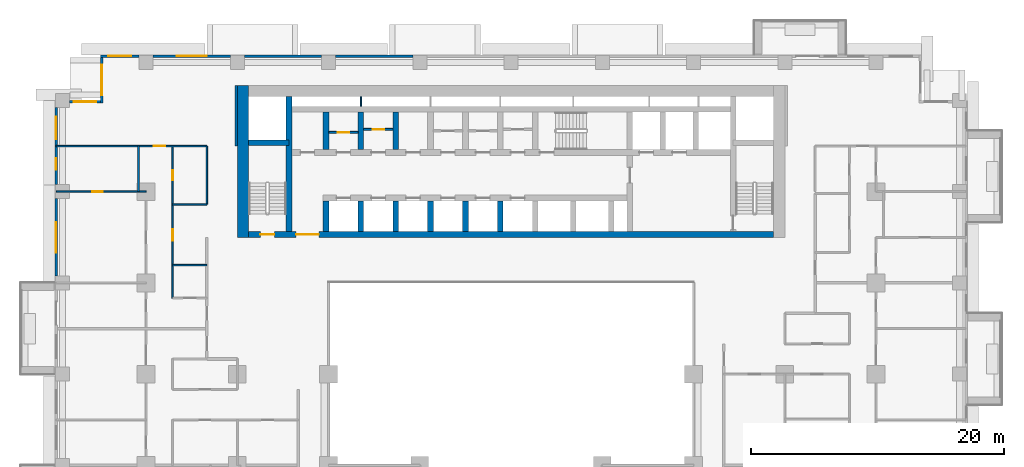
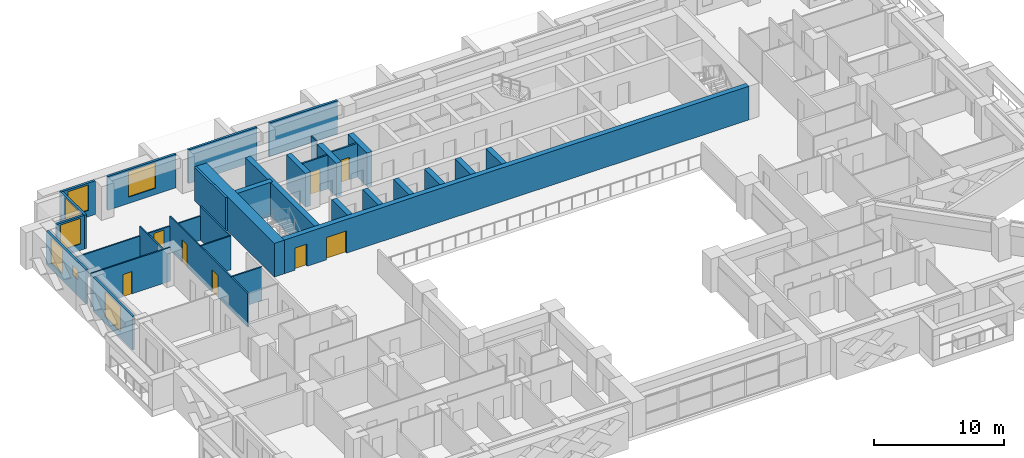
# One storey, part 9 of 16: 32 walls, 8 doors, 7 windows, 15 openings.
"""IFC4 building model written with IfcOpenShell, lengths in metres."""

from ifc_helpers import new_model, si_unit, direction, frame, frame_2d, origin, place, context, subcontext, project, spatial, rectangle, extrude, material, layer, layer_set, type_object, element, fill, save


model = new_model("IFC4")

# Units and contexts
model_context = context("Model", 3, precision=1e-05, world=origin(), true_north=direction((0.0, 1.0)))
body_context = subcontext(model_context, "Body", "Model", "MODEL_VIEW")
ifc_project = project(units=[si_unit("LENGTHUNIT", "METRE"), si_unit("AREAUNIT", "SQUARE_METRE"), si_unit("VOLUMEUNIT", "CUBIC_METRE"), si_unit("PLANEANGLEUNIT", "RADIAN"), si_unit("MASSUNIT", "GRAM", prefix="KILO")], contexts=[model_context])

# Site, building, storey
site_placement = place(None, origin())
site = spatial("IfcSite", under=ifc_project, at=site_placement, CompositionType="ELEMENT")
building_placement = place(site_placement, origin())
building = spatial("IfcBuilding", under=site, at=building_placement, Name="Saffron Iwan Residences", CompositionType="ELEMENT")
storey_placement = place(building_placement, frame((0.0, 0.0, 48.0)))
storey = spatial("IfcBuildingStorey", under=building, at=storey_placement, Name="L11", CompositionType="ELEMENT", Elevation=48.0)

# Wall, opening, door
ifc_material_1 = material(Name="Fire-rated plasterboard partition")
ifc_layer_1 = layer(ifc_material_1, 0.14990234375)
ifc_layer_set_1 = layer_set([ifc_layer_1], Name="Fire-rated plasterboard partition")
wall_type_1 = type_object("IfcWallType", Name="Core partition 150", PredefinedType="PARTITIONING", material=ifc_layer_set_1)
wall_1_placement = place(storey_placement, frame((36.02490234375, 74.281982421875, 0.0), z_axis=(0.0, 0.0, 1.0), x_axis=(1.0, 0.0, 0.0)))
wall_1 = element("IfcWall", 1, at=wall_1_placement, inside=storey, type_object=wall_type_1, Name="Core partition P01", PredefinedType="PARTITIONING", context=body_context, shape_type="SweptSolid", body=[
    extrude(rectangle(XDim=2.300048828125, YDim=0.14990234375, at=frame_2d((1.14990234375, 0.0))), origin(), (0.0, 0.0, 1.0), 3.179931640625),
])
opening_1_placement = place(wall_1_placement, frame((0.699951171875, 0.0, 0.0)))
opening_1 = element("IfcOpeningElement", 2, at=opening_1_placement, cuts=wall_1, Name="Opening SB", PredefinedType="OPENING", context=body_context, shape_type="SweptSolid", body=[
    extrude(rectangle(XDim=0.89990234375, YDim=2.10009765625, at=frame_2d((0.449951171875, 1.050048828125))), frame((0.0, 0.0849609375, 0.0), z_axis=(0.0, -1.0, 0.0), x_axis=(1.0, 0.0, 0.0)), (0.0, 0.0, 1.0), 0.169921875),
])
ifc_material_2 = material(Name="Steel fire door", Category="steel")
door_type_1 = type_object("IfcDoorType", Name="Store door 900", OperationType="NOTDEFINED", PredefinedType="DOOR", material=ifc_material_2)
door_1_placement = place(opening_1_placement, origin())
door_1 = element("IfcDoor", 3, at=door_1_placement, inside=storey, type_object=door_type_1, Name="Door Stationery store", OperationType="SINGLE_SWING_LEFT", OverallHeight=2.10009765625, OverallWidth=0.89990234375, PredefinedType="DOOR", context=body_context, shape_type="SweptSolid", body=[
    extrude(rectangle(XDim=0.89990234375, YDim=2.10009765625, at=frame_2d((0.449951171875, 1.050048828125))), frame((0.0, 0.02490234375, 0.0), z_axis=(0.0, -1.0, 0.0), x_axis=(1.0, 0.0, 0.0)), (0.0, 0.0, 1.0), 0.050048828125),
])
fill(opening_1, door_1)

wall_2_placement = place(storey_placement, frame((38.77490234375, 74.51806640625, 0.0), z_axis=(0.0, 0.0, 1.0), x_axis=(1.0, 0.0, 0.0)))
wall_2 = element("IfcWall", 4, at=wall_2_placement, inside=storey, type_object=wall_type_1, Name="Core partition P02", PredefinedType="PARTITIONING", context=body_context, shape_type="SweptSolid", body=[
    extrude(rectangle(XDim=2.300048828125, YDim=0.14990234375, at=frame_2d((1.14990234375, 0.0))), origin(), (0.0, 0.0, 1.0), 3.179931640625),
])
opening_2_placement = place(wall_2_placement, frame((0.699951171875, 0.0, 0.0)))
opening_2 = element("IfcOpeningElement", 5, at=opening_2_placement, cuts=wall_2, Name="Opening SB", PredefinedType="OPENING", context=body_context, shape_type="SweptSolid", body=[
    extrude(rectangle(XDim=0.89990234375, YDim=2.10009765625, at=frame_2d((0.449951171875, 1.050048828125))), frame((0.0, 0.0849609375, 0.0), z_axis=(0.0, -1.0, 0.0), x_axis=(1.0, 0.0, 0.0)), (0.0, 0.0, 1.0), 0.169921875),
])
door_2_placement = place(opening_2_placement, origin())
door_2 = element("IfcDoor", 6, at=door_2_placement, inside=storey, type_object=door_type_1, Name="Door Tool store", OperationType="SINGLE_SWING_LEFT", OverallHeight=2.10009765625, OverallWidth=0.89990234375, PredefinedType="DOOR", context=body_context, shape_type="SweptSolid", body=[
    extrude(rectangle(XDim=0.89990234375, YDim=2.10009765625, at=frame_2d((0.449951171875, 1.050048828125))), frame((0.0, 0.02490234375, 0.0), z_axis=(0.0, -1.0, 0.0), x_axis=(1.0, 0.0, 0.0)), (0.0, 0.0, 1.0), 0.050048828125),
])
fill(opening_2, door_2)

# Walls
ifc_material_3 = material(Name="Concrete C40/50", Category="concrete")
ifc_layer_2 = layer(ifc_material_3, 0.199951171875)
ifc_layer_set_2 = layer_set([ifc_layer_2], Name="Concrete C40/50")
wall_type_2 = type_object("IfcWallType", Name="EXTERNAL WALL 200", PredefinedType="SOLIDWALL", material=ifc_layer_set_2)
for number, where, z_axis, x_axis, name in (
    (7, (42.64990234375, 80.300048828125, 0.0), (0.0, 0.0, 1.0), (-1.0, 0.0, 0.0), "External wall L11 F5.6"),
    (8, (35.449951171875, 80.300048828125, 0.0), (0.0, 0.0, 1.0), (-1.0, 0.0, 0.0), "External wall L11 F5.7"),
):
    element("IfcWall", number, at=place(storey_placement, frame(where, z_axis=z_axis, x_axis=x_axis)), inside=storey, type_object=wall_type_2, Name=name, PredefinedType="SOLIDWALL", context=body_context, shape_type="SweptSolid", body=[
        extrude(rectangle(XDim=6.099853515625, YDim=0.199951171875, at=frame_2d((3.0498046875, 0.0))), origin(), (0.0, 0.0, 1.0), 3.179931640625),
    ])

# Wall, opening, window
wall_3_placement = place(storey_placement, frame((28.25, 80.300048828125, 0.0), z_axis=(0.0, 0.0, 1.0), x_axis=(-1.0, 0.0, 0.0)))
wall_3 = element("IfcWall", 9, at=wall_3_placement, inside=storey, type_object=wall_type_2, Name="External wall L11 F5.8", PredefinedType="SOLIDWALL", context=body_context, shape_type="SweptSolid", body=[
    extrude(rectangle(XDim=6.10009765625, YDim=0.199951171875, at=frame_2d((3.050048828125, 0.0))), origin(), (0.0, 0.0, 1.0), 3.179931640625),
])
opening_3_placement = place(wall_3_placement, frame((1.85009765625, 0.0, 0.60009765625)))
opening_3 = element("IfcOpeningElement", 10, at=opening_3_placement, cuts=wall_3, Name="Opening W1", PredefinedType="OPENING", context=body_context, shape_type="SweptSolid", body=[
    extrude(rectangle(XDim=2.39990234375, YDim=2.39990234375, at=frame_2d((1.199951171875, 1.199951171875))), frame((0.0, 0.10986328125, 0.0), z_axis=(0.0, -1.0, 0.0), x_axis=(1.0, 0.0, 0.0)), (0.0, 0.0, 1.0), 0.219970703125),
])
ifc_material_4 = material(Name="Clear glass, laminated double glazed", Category="glass")
window_type_1 = type_object("IfcWindowType", Name="WINDOW 2400 x 2400", PartitioningType="DOUBLE_PANEL_VERTICAL", PredefinedType="WINDOW", material=ifc_material_4)
window_1_placement = place(opening_3_placement, origin())
window_1 = element("IfcWindow", 11, at=window_1_placement, inside=storey, type_object=window_type_1, Name="Window L11 F5.0", OverallHeight=2.39990234375, OverallWidth=2.39990234375, PartitioningType="DOUBLE_PANEL_VERTICAL", PredefinedType="WINDOW", context=body_context, shape_type="SweptSolid", body=[
    extrude(rectangle(XDim=2.39990234375, YDim=2.39990234375, at=frame_2d((1.199951171875, 1.199951171875))), frame((0.0, 0.030029296875, 0.0), z_axis=(0.0, -1.0, 0.0), x_axis=(1.0, 0.0, 0.0)), (0.0, 0.0, 1.0), 0.06005859375),
])
fill(opening_3, window_1)

wall_4_placement = place(storey_placement, frame((21.050048828125, 80.300048828125, 0.0), z_axis=(0.0, 0.0, 1.0), x_axis=(-1.0, 0.0, 0.0)))
wall_4 = element("IfcWall", 12, at=wall_4_placement, inside=storey, type_object=wall_type_2, Name="External wall L11 F5.9", PredefinedType="SOLIDWALL", context=body_context, shape_type="SweptSolid", body=[
    extrude(rectangle(XDim=3.050048828125, YDim=0.199951171875, at=frame_2d((1.52490234375, 0.0))), origin(), (0.0, 0.0, 1.0), 3.179931640625),
])
opening_4_placement = place(wall_4_placement, frame((0.625, 0.0, 0.60009765625)))
opening_4 = element("IfcOpeningElement", 13, at=opening_4_placement, cuts=wall_4, Name="Opening W8", PredefinedType="OPENING", context=body_context, shape_type="SweptSolid", body=[
    extrude(rectangle(XDim=1.800048828125, YDim=2.39990234375, at=frame_2d((0.89990234375, 1.199951171875))), frame((0.0, 0.10986328125, 0.0), z_axis=(0.0, -1.0, 0.0), x_axis=(1.0, 0.0, 0.0)), (0.0, 0.0, 1.0), 0.219970703125),
])
window_type_2 = type_object("IfcWindowType", Name="WINDOW 1800 x 2400", PartitioningType="DOUBLE_PANEL_VERTICAL", PredefinedType="WINDOW", material=ifc_material_4)
window_2_placement = place(opening_4_placement, origin())
window_2 = element("IfcWindow", 14, at=window_2_placement, inside=storey, type_object=window_type_2, Name="Window L11 F5.0", OverallHeight=2.39990234375, OverallWidth=1.800048828125, PartitioningType="DOUBLE_PANEL_VERTICAL", PredefinedType="WINDOW", context=body_context, shape_type="SweptSolid", body=[
    extrude(rectangle(XDim=1.800048828125, YDim=2.39990234375, at=frame_2d((0.89990234375, 1.199951171875))), frame((0.0, 0.030029296875, 0.0), z_axis=(0.0, -1.0, 0.0), x_axis=(1.0, 0.0, 0.0)), (0.0, 0.0, 1.0), 0.06005859375),
])
fill(opening_4, window_2)

wall_5_placement = place(storey_placement, frame((18.10009765625, 80.199951171875, 0.0), z_axis=(0.0, 0.0, 1.0), x_axis=(0.0, -1.0, 0.0)))
wall_5 = element("IfcWall", 15, at=wall_5_placement, inside=storey, type_object=wall_type_2, Name="External wall L11 F6.0", PredefinedType="SOLIDWALL", context=body_context, shape_type="SweptSolid", body=[
    extrude(rectangle(XDim=3.599853515625, YDim=0.199951171875, at=frame_2d((1.7998046875, 0.0))), origin(), (0.0, 0.0, 1.0), 3.179931640625),
])
opening_5_placement = place(wall_5_placement, frame((0.60009765625, 0.0, 0.60009765625)))
opening_5 = element("IfcOpeningElement", 16, at=opening_5_placement, cuts=wall_5, Name="Opening W1", PredefinedType="OPENING", context=body_context, shape_type="SweptSolid", body=[
    extrude(rectangle(XDim=2.39990234375, YDim=2.39990234375, at=frame_2d((1.199951171875, 1.199951171875))), frame((0.0, 0.10986328125, 0.0), z_axis=(0.0, -1.0, 0.0), x_axis=(1.0, 0.0, 0.0)), (0.0, 0.0, 1.0), 0.219970703125),
])
window_3_placement = place(opening_5_placement, origin())
window_3 = element("IfcWindow", 17, at=window_3_placement, inside=storey, type_object=window_type_1, Name="Window L11 F6.0", OverallHeight=2.39990234375, OverallWidth=2.39990234375, PartitioningType="DOUBLE_PANEL_VERTICAL", PredefinedType="WINDOW", context=body_context, shape_type="SweptSolid", body=[
    extrude(rectangle(XDim=2.39990234375, YDim=2.39990234375, at=frame_2d((1.199951171875, 1.199951171875))), frame((0.0, 0.030029296875, 0.0), z_axis=(0.0, -1.0, 0.0), x_axis=(1.0, 0.0, 0.0)), (0.0, 0.0, 1.0), 0.06005859375),
])
fill(opening_5, window_3)

wall_6_placement = place(storey_placement, frame((18.0, 76.699951171875, 0.0), z_axis=(0.0, 0.0, 1.0), x_axis=(-1.0, 0.0, 0.0)))
wall_6 = element("IfcWall", 18, at=wall_6_placement, inside=storey, type_object=wall_type_2, Name="External wall L11 F7.0", PredefinedType="SOLIDWALL", context=body_context, shape_type="SweptSolid", body=[
    extrude(rectangle(XDim=2.449951171875, YDim=0.199951171875, at=frame_2d((1.22509765625, 0.0))), origin(), (0.0, 0.0, 1.0), 3.179931640625),
])
opening_6_placement = place(wall_6_placement, frame((0.324951171875, 0.0, 0.60009765625)))
opening_6 = element("IfcOpeningElement", 19, at=opening_6_placement, cuts=wall_6, Name="Opening W8", PredefinedType="OPENING", context=body_context, shape_type="SweptSolid", body=[
    extrude(rectangle(XDim=1.800048828125, YDim=2.39990234375, at=frame_2d((0.89990234375, 1.199951171875))), frame((0.0, 0.10986328125, 0.0), z_axis=(0.0, -1.0, 0.0), x_axis=(1.0, 0.0, 0.0)), (0.0, 0.0, 1.0), 0.219970703125),
])
window_4_placement = place(opening_6_placement, origin())
window_4 = element("IfcWindow", 20, at=window_4_placement, inside=storey, type_object=window_type_2, Name="Window L11 F7.0", OverallHeight=2.39990234375, OverallWidth=1.800048828125, PartitioningType="DOUBLE_PANEL_VERTICAL", PredefinedType="WINDOW", context=body_context, shape_type="SweptSolid", body=[
    extrude(rectangle(XDim=1.800048828125, YDim=2.39990234375, at=frame_2d((0.89990234375, 1.199951171875))), frame((0.0, 0.030029296875, 0.0), z_axis=(0.0, -1.0, 0.0), x_axis=(1.0, 0.0, 0.0)), (0.0, 0.0, 1.0), 0.06005859375),
])
fill(opening_6, window_4)

# Wall, openings, windows
wall_7_placement = place(storey_placement, frame((14.5, 76.25, 0.0), z_axis=(0.0, 0.0, 1.0), x_axis=(0.0, -1.0, 0.0)))
wall_7 = element("IfcWall", 21, at=wall_7_placement, inside=storey, type_object=wall_type_2, Name="External wall L11 F8.0", PredefinedType="SOLIDWALL", context=body_context, shape_type="SweptSolid", body=[
    extrude(rectangle(XDim=6.10009765625, YDim=0.199951171875, at=frame_2d((3.050048828125, 0.0))), origin(), (0.0, 0.0, 1.0), 3.179931640625),
])
opening_7_placement = place(wall_7_placement, frame((4.02490234375, 0.0, 1.5)))
opening_7 = element("IfcOpeningElement", 22, at=opening_7_placement, cuts=wall_7, Name="Opening W6", PredefinedType="OPENING", context=body_context, shape_type="SweptSolid", body=[
    extrude(rectangle(XDim=0.89990234375, YDim=0.89990234375, at=frame_2d((0.449951171875, 0.449951171875))), frame((0.0, 0.10986328125, 0.0), z_axis=(0.0, -1.0, 0.0), x_axis=(1.0, 0.0, 0.0)), (0.0, 0.0, 1.0), 0.219970703125),
])
opening_8_placement = place(wall_7_placement, frame((0.72509765625, 0.0, 0.60009765625)))
opening_8 = element("IfcOpeningElement", 23, at=opening_8_placement, cuts=wall_7, Name="Opening W8", PredefinedType="OPENING", context=body_context, shape_type="SweptSolid", body=[
    extrude(rectangle(XDim=1.800048828125, YDim=2.39990234375, at=frame_2d((0.89990234375, 1.199951171875))), frame((0.0, 0.10986328125, 0.0), z_axis=(0.0, -1.0, 0.0), x_axis=(1.0, 0.0, 0.0)), (0.0, 0.0, 1.0), 0.219970703125),
])
window_5_placement = place(opening_8_placement, origin())
window_5 = element("IfcWindow", 24, at=window_5_placement, inside=storey, type_object=window_type_2, Name="Window L11 F8.1", OverallHeight=2.39990234375, OverallWidth=1.800048828125, PartitioningType="DOUBLE_PANEL_VERTICAL", PredefinedType="WINDOW", context=body_context, shape_type="SweptSolid", body=[
    extrude(rectangle(XDim=1.800048828125, YDim=2.39990234375, at=frame_2d((0.89990234375, 1.199951171875))), frame((0.0, 0.030029296875, 0.0), z_axis=(0.0, -1.0, 0.0), x_axis=(1.0, 0.0, 0.0)), (0.0, 0.0, 1.0), 0.06005859375),
])
fill(opening_8, window_5)
window_type_3 = type_object("IfcWindowType", Name="WINDOW 900 x 900 BATH", PartitioningType="SINGLE_PANEL", PredefinedType="WINDOW", material=ifc_material_4)
window_6_placement = place(opening_7_placement, origin())
window_6 = element("IfcWindow", 25, at=window_6_placement, inside=storey, type_object=window_type_3, Name="Window L11 F8.0", OverallHeight=0.89990234375, OverallWidth=0.89990234375, PartitioningType="SINGLE_PANEL", PredefinedType="WINDOW", context=body_context, shape_type="SweptSolid", body=[
    extrude(rectangle(XDim=0.89990234375, YDim=0.89990234375, at=frame_2d((0.449951171875, 0.449951171875))), frame((0.0, 0.030029296875, 0.0), z_axis=(0.0, -1.0, 0.0), x_axis=(1.0, 0.0, 0.0)), (0.0, 0.0, 1.0), 0.06005859375),
])
fill(opening_7, window_6)

# Wall, opening, window
wall_8_placement = place(storey_placement, frame((14.5, 69.050048828125, 0.0), z_axis=(0.0, 0.0, 1.0), x_axis=(0.0, -1.0, 0.0)))
wall_8 = element("IfcWall", 26, at=wall_8_placement, inside=storey, type_object=wall_type_2, Name="External wall L11 F8.1", PredefinedType="SOLIDWALL", context=body_context, shape_type="SweptSolid", body=[
    extrude(rectangle(XDim=6.10009765625, YDim=0.199951171875, at=frame_2d((3.050048828125, 0.0))), origin(), (0.0, 0.0, 1.0), 3.179931640625),
])
opening_9_placement = place(wall_8_placement, frame((1.85009765625, 0.0, 0.60009765625)))
opening_9 = element("IfcOpeningElement", 27, at=opening_9_placement, cuts=wall_8, Name="Opening W1", PredefinedType="OPENING", context=body_context, shape_type="SweptSolid", body=[
    extrude(rectangle(XDim=2.39990234375, YDim=2.39990234375, at=frame_2d((1.199951171875, 1.199951171875))), frame((0.0, 0.10986328125, 0.0), z_axis=(0.0, -1.0, 0.0), x_axis=(1.0, 0.0, 0.0)), (0.0, 0.0, 1.0), 0.219970703125),
])
window_7_placement = place(opening_9_placement, origin())
window_7 = element("IfcWindow", 28, at=window_7_placement, inside=storey, type_object=window_type_1, Name="Window L11 F8.0", OverallHeight=2.39990234375, OverallWidth=2.39990234375, PartitioningType="DOUBLE_PANEL_VERTICAL", PredefinedType="WINDOW", context=body_context, shape_type="SweptSolid", body=[
    extrude(rectangle(XDim=2.39990234375, YDim=2.39990234375, at=frame_2d((1.199951171875, 1.199951171875))), frame((0.0, 0.030029296875, 0.0), z_axis=(0.0, -1.0, 0.0), x_axis=(1.0, 0.0, 0.0)), (0.0, 0.0, 1.0), 0.06005859375),
])
fill(opening_9, window_7)

# Walls
ifc_material_5 = material(Name="Gypsum board partition")
ifc_layer_3 = layer(ifc_material_5, 0.1201171875)
ifc_layer_set_3 = layer_set([ifc_layer_3], Name="Gypsum board partition")
wall_type_3 = type_object("IfcWallType", Name="Flat partition 120", PredefinedType="PARTITIONING", material=ifc_layer_set_3)
for number, where, z_axis, x_axis, name in (
    (29, (23.699951171875, 63.800048828125, 0.0), (0.0, 0.0, 1.0), (1.0, 0.0, 0.0), "W-L11-PART-h63.8-23.7"),
    (30, (23.699951171875, 68.60009765625, 0.0), (0.0, 0.0, 1.0), (1.0, 0.0, 0.0), "W-L11-PART-h68.6-23.7"),
):
    element("IfcWall", number, at=place(storey_placement, frame(where, z_axis=z_axis, x_axis=x_axis)), inside=storey, type_object=wall_type_3, Name=name, PredefinedType="PARTITIONING", context=body_context, shape_type="SweptSolid", body=[
        extrude(rectangle(XDim=2.699951171875, YDim=0.1201171875, at=frame_2d((1.35009765625, 0.0))), origin(), (0.0, 0.0, 1.0), 3.179931640625),
    ])

# Wall, opening, door
wall_9_placement = place(storey_placement, frame((14.52490234375, 69.60009765625, 0.0), z_axis=(0.0, 0.0, 1.0), x_axis=(1.0, 0.0, 0.0)))
wall_9 = element("IfcWall", 31, at=wall_9_placement, inside=storey, type_object=wall_type_3, Name="W-L11-PART-h69.6-14.525", PredefinedType="PARTITIONING", context=body_context, shape_type="SweptSolid", body=[
    extrude(rectangle(XDim=7.0751953125, YDim=0.1201171875, at=frame_2d((3.53759765625, 0.0))), origin(), (0.0, 0.0, 1.0), 3.179931640625),
])
opening_10_placement = place(wall_9_placement, frame((2.83740234375, 0.0, 0.0)))
opening_10 = element("IfcOpeningElement", 32, at=opening_10_placement, cuts=wall_9, Name="Opening FD3", PredefinedType="OPENING", context=body_context, shape_type="SweptSolid", body=[
    extrude(rectangle(XDim=0.800048828125, YDim=2.10009765625, at=frame_2d((0.39990234375, 1.050048828125))), frame((0.0, 0.070068359375, 0.0), z_axis=(0.0, -1.0, 0.0), x_axis=(1.0, 0.0, 0.0)), (0.0, 0.0, 1.0), 0.14013671875),
])
ifc_material_6 = material(Name="Timber door", Category="wood")
door_type_2 = type_object("IfcDoorType", Name="Bathroom door 800", OperationType="NOTDEFINED", PredefinedType="DOOR", material=ifc_material_6)
door_3_placement = place(opening_10_placement, origin())
door_3 = element("IfcDoor", 33, at=door_3_placement, inside=storey, type_object=door_type_2, Name="Door L11-030", OperationType="SINGLE_SWING_LEFT", OverallHeight=2.10009765625, OverallWidth=0.800048828125, PredefinedType="DOOR", context=body_context, shape_type="SweptSolid", body=[
    extrude(rectangle(XDim=0.800048828125, YDim=2.10009765625, at=frame_2d((0.39990234375, 1.050048828125))), frame((0.0, 0.02490234375, 0.0), z_axis=(0.0, -1.0, 0.0), x_axis=(1.0, 0.0, 0.0)), (0.0, 0.0, 1.0), 0.050048828125),
])
fill(opening_10, door_3)

wall_10_placement = place(storey_placement, frame((14.52490234375, 73.199951171875, 0.0), z_axis=(0.0, 0.0, 1.0), x_axis=(1.0, 0.0, 0.0)))
wall_10 = element("IfcWall", 34, at=wall_10_placement, inside=storey, type_object=wall_type_3, Name="W-L11-PART-h73.2-14.525", PredefinedType="PARTITIONING", context=body_context, shape_type="SweptSolid", body=[
    extrude(rectangle(XDim=11.875, YDim=0.1201171875, at=frame_2d((5.9375, 0.0))), origin(), (0.0, 0.0, 1.0), 2.280029296875),
])
opening_11_placement = place(wall_10_placement, frame((7.675048828125, 0.0, 0.0)))
opening_11 = element("IfcOpeningElement", 35, at=opening_11_placement, cuts=wall_10, Name="Opening FD2", PredefinedType="OPENING", context=body_context, shape_type="SweptSolid", body=[
    extrude(rectangle(XDim=0.89990234375, YDim=2.10009765625, at=frame_2d((0.449951171875, 1.050048828125))), frame((0.0, 0.070068359375, 0.0), z_axis=(0.0, -1.0, 0.0), x_axis=(1.0, 0.0, 0.0)), (0.0, 0.0, 1.0), 0.14013671875),
])
door_type_3 = type_object("IfcDoorType", Name="Flat door 900", OperationType="NOTDEFINED", PredefinedType="DOOR", material=ifc_material_6)
door_4_placement = place(opening_11_placement, origin())
door_4 = element("IfcDoor", 36, at=door_4_placement, inside=storey, type_object=door_type_3, Name="Door L11-031", OperationType="SINGLE_SWING_LEFT", OverallHeight=2.10009765625, OverallWidth=0.89990234375, PredefinedType="DOOR", context=body_context, shape_type="SweptSolid", body=[
    extrude(rectangle(XDim=0.89990234375, YDim=2.10009765625, at=frame_2d((0.449951171875, 1.050048828125))), frame((0.0, 0.02490234375, 0.0), z_axis=(0.0, -1.0, 0.0), x_axis=(1.0, 0.0, 0.0)), (0.0, 0.0, 1.0), 0.050048828125),
])
fill(opening_11, door_4)

# Wall
wall_11_placement = place(storey_placement, frame((21.0, 69.60009765625, 0.0), z_axis=(0.0, 0.0, 1.0), x_axis=(0.0, 1.0, 0.0)))
element("IfcWall", 37, at=wall_11_placement, inside=storey, type_object=wall_type_3, Name="W-L11-PART-v21-69.6", PredefinedType="PARTITIONING", context=body_context, shape_type="SweptSolid", body=[
    extrude(rectangle(XDim=3.599853515625, YDim=0.1201171875, at=frame_2d((1.7998046875, 0.0))), origin(), (0.0, 0.0, 1.0), 3.179931640625),
])

# Wall, openings, doors
wall_12_placement = place(storey_placement, frame((23.699951171875, 61.199951171875, 0.0), z_axis=(0.0, 0.0, 1.0), x_axis=(0.0, 1.0, 0.0)))
wall_12 = element("IfcWall", 38, at=wall_12_placement, inside=storey, type_object=wall_type_3, Name="W-L11-PART-v23.7-61.2", PredefinedType="PARTITIONING", context=body_context, shape_type="SweptSolid", body=[
    extrude(rectangle(XDim=12.0, YDim=0.1201171875, at=frame_2d((6.0, 0.0))), origin(), (0.0, 0.0, 1.0), 3.179931640625),
])
opening_12_placement = place(wall_12_placement, frame((4.550048828125, 0.0, 0.0)))
opening_12 = element("IfcOpeningElement", 39, at=opening_12_placement, cuts=wall_12, Name="Opening FD2", PredefinedType="OPENING", context=body_context, shape_type="SweptSolid", body=[
    extrude(rectangle(XDim=0.89990234375, YDim=2.10009765625, at=frame_2d((0.449951171875, 1.050048828125))), frame((0.0, 0.070068359375, 0.0), z_axis=(0.0, -1.0, 0.0), x_axis=(1.0, 0.0, 0.0)), (0.0, 0.0, 1.0), 0.14013671875),
])
opening_13_placement = place(wall_12_placement, frame((9.300048828125, 0.0, 0.0)))
opening_13 = element("IfcOpeningElement", 40, at=opening_13_placement, cuts=wall_12, Name="Opening FD3", PredefinedType="OPENING", context=body_context, shape_type="SweptSolid", body=[
    extrude(rectangle(XDim=0.800048828125, YDim=2.10009765625, at=frame_2d((0.39990234375, 1.050048828125))), frame((0.0, 0.070068359375, 0.0), z_axis=(0.0, -1.0, 0.0), x_axis=(1.0, 0.0, 0.0)), (0.0, 0.0, 1.0), 0.14013671875),
])
door_5_placement = place(opening_13_placement, origin())
door_5 = element("IfcDoor", 41, at=door_5_placement, inside=storey, type_object=door_type_2, Name="Door L11-034", OperationType="SINGLE_SWING_LEFT", OverallHeight=2.10009765625, OverallWidth=0.800048828125, PredefinedType="DOOR", context=body_context, shape_type="SweptSolid", body=[
    extrude(rectangle(XDim=0.800048828125, YDim=2.10009765625, at=frame_2d((0.39990234375, 1.050048828125))), frame((0.0, 0.02490234375, 0.0), z_axis=(0.0, -1.0, 0.0), x_axis=(1.0, 0.0, 0.0)), (0.0, 0.0, 1.0), 0.050048828125),
])
fill(opening_13, door_5)
door_6_placement = place(opening_12_placement, origin())
door_6 = element("IfcDoor", 42, at=door_6_placement, inside=storey, type_object=door_type_3, Name="Door L11-033", OperationType="SINGLE_SWING_LEFT", OverallHeight=2.10009765625, OverallWidth=0.89990234375, PredefinedType="DOOR", context=body_context, shape_type="SweptSolid", body=[
    extrude(rectangle(XDim=0.89990234375, YDim=2.10009765625, at=frame_2d((0.449951171875, 1.050048828125))), frame((0.0, 0.02490234375, 0.0), z_axis=(0.0, -1.0, 0.0), x_axis=(1.0, 0.0, 0.0)), (0.0, 0.0, 1.0), 0.050048828125),
])
fill(opening_12, door_6)

# Walls
wall_13_placement = place(storey_placement, frame((26.39990234375, 68.60009765625, 0.0), z_axis=(0.0, 0.0, 1.0), x_axis=(0.0, 1.0, 0.0)))
element("IfcWall", 43, at=wall_13_placement, inside=storey, type_object=wall_type_3, Name="W-L11-PART-v26.4-68.6", PredefinedType="PARTITIONING", context=body_context, shape_type="SweptSolid", body=[
    extrude(rectangle(XDim=4.599853515625, YDim=0.1201171875, at=frame_2d((2.2998046875, 0.0))), origin(), (0.0, 0.0, 1.0), 3.179931640625),
])
ifc_material_7 = material(Name="Fire-rated gypsum board wall")
ifc_layer_4 = layer(ifc_material_7, 0.199951171875)
ifc_layer_set_4 = layer_set([ifc_layer_4], Name="Fire-rated gypsum board wall")
wall_type_4 = type_object("IfcWallType", Name="Gallery wall 200", PredefinedType="SOLIDWALL", material=ifc_layer_set_4)
wall_14_placement = place(storey_placement, frame((28.699951171875, 73.199951171875, 0.0), z_axis=(0.0, 0.0, 1.0), x_axis=(0.0, 1.0, 0.0)))
element("IfcWall", 44, at=wall_14_placement, inside=storey, type_object=wall_type_4, Name="W-L11-CORR-v28.8-73.2", PredefinedType="SOLIDWALL", context=body_context, shape_type="SweptSolid", body=[
    extrude(rectangle(XDim=4.800048828125, YDim=0.199951171875, at=frame_2d((2.39990234375, 0.0))), origin(), (0.0, 0.0, 1.0), 3.179931640625),
])
ifc_layer_5 = layer(ifc_material_1, 0.10009765625)
ifc_layer_set_5 = layer_set([ifc_layer_5], Name="Fire-rated plasterboard partition")
wall_type_5 = type_object("IfcWallType", Name="Riser partition 100", PredefinedType="PARTITIONING", material=ifc_layer_set_5)
wall_15_placement = place(storey_placement, frame((38.550048828125, 76.324951171875, 0.0), z_axis=(0.0, 0.0, 1.0), x_axis=(0.0, 1.0, 0.0)))
element("IfcWall", 45, at=wall_15_placement, inside=storey, type_object=wall_type_5, Name="Core partition P06", PredefinedType="PARTITIONING", context=body_context, shape_type="SweptSolid", body=[
    extrude(rectangle(XDim=0.775146484375, YDim=0.10009765625, at=frame_2d((0.3876953125, 0.0))), origin(), (0.0, 0.0, 1.0), 3.179931640625),
])

# Wall, openings, doors
ifc_material_8 = material(Name="Concrete C60/75", Category="concrete")
ifc_layer_6 = layer(ifc_material_8, 0.449951171875)
ifc_layer_set_6 = layer_set([ifc_layer_6], Name="Concrete C60/75")
wall_type_6 = type_object("IfcWallType", Name="WALL CORE 450 C60/75 3180 HIGH", PredefinedType="SHEAR", material=ifc_layer_set_6)
wall_16_placement = place(storey_placement, frame((29.699951171875, 66.22509765625, 0.0), z_axis=(0.0, 0.0, 1.0), x_axis=(1.0, 0.0, 0.0)))
wall_16 = element("IfcWall", 46, at=wall_16_placement, inside=storey, type_object=wall_type_6, Name="Core wall", PredefinedType="SHEAR", context=body_context, shape_type="SweptSolid", body=[
    extrude(rectangle(XDim=41.400146484375, YDim=0.449951171875, at=frame_2d((20.7001953125, 0.0))), origin(), (0.0, 0.0, 1.0), 3.179931640625),
])
opening_14_placement = place(wall_16_placement, frame((0.925048828125, 0.0, 0.0)))
opening_14 = element("IfcOpeningElement", 47, at=opening_14_placement, cuts=wall_16, Name="Opening SD", PredefinedType="OPENING", context=body_context, shape_type="SweptSolid", body=[
    extrude(rectangle(XDim=1.10009765625, YDim=2.10009765625, at=frame_2d((0.550048828125, 1.050048828125))), frame((0.0, 0.23486328125, 0.0), z_axis=(0.0, -1.0, 0.0), x_axis=(1.0, 0.0, 0.0)), (0.0, 0.0, 1.0), 0.469970703125),
])
opening_15_placement = place(wall_16_placement, frame((3.737548828125, 0.0, 0.0)))
opening_15 = element("IfcOpeningElement", 48, at=opening_15_placement, cuts=wall_16, Name="Opening DD", PredefinedType="OPENING", context=body_context, shape_type="SweptSolid", body=[
    extrude(rectangle(XDim=1.800048828125, YDim=2.10009765625, at=frame_2d((0.89990234375, 1.050048828125))), frame((0.0, 0.23486328125, 0.0), z_axis=(0.0, -1.0, 0.0), x_axis=(1.0, 0.0, 0.0)), (0.0, 0.0, 1.0), 0.469970703125),
])
door_type_4 = type_object("IfcDoorType", Name="Lobby double door 1800", OperationType="DOUBLE_DOOR_SINGLE_SWING", PredefinedType="DOOR", material=ifc_material_2)
door_7_placement = place(opening_15_placement, origin())
door_7 = element("IfcDoor", 49, at=door_7_placement, inside=storey, type_object=door_type_4, Name="Lobby doors", OperationType="DOUBLE_DOOR_SINGLE_SWING", OverallHeight=2.10009765625, OverallWidth=1.800048828125, PredefinedType="DOOR", context=body_context, shape_type="SweptSolid", body=[
    extrude(rectangle(XDim=1.800048828125, YDim=2.10009765625, at=frame_2d((0.89990234375, 1.050048828125))), frame((0.0, 0.02490234375, 0.0), z_axis=(0.0, -1.0, 0.0), x_axis=(1.0, 0.0, 0.0)), (0.0, 0.0, 1.0), 0.050048828125),
])
fill(opening_15, door_7)
door_type_5 = type_object("IfcDoorType", Name="Stair door 1100", OperationType="NOTDEFINED", PredefinedType="DOOR", material=ifc_material_2)
door_8_placement = place(opening_14_placement, origin())
door_8 = element("IfcDoor", 50, at=door_8_placement, inside=storey, type_object=door_type_5, Name="Stair door ST-W", OperationType="SINGLE_SWING_LEFT", OverallHeight=2.10009765625, OverallWidth=1.10009765625, PredefinedType="DOOR", context=body_context, shape_type="SweptSolid", body=[
    extrude(rectangle(XDim=1.10009765625, YDim=2.10009765625, at=frame_2d((0.550048828125, 1.050048828125))), frame((0.0, 0.02490234375, 0.0), z_axis=(0.0, -1.0, 0.0), x_axis=(1.0, 0.0, 0.0)), (0.0, 0.0, 1.0), 0.050048828125),
])
fill(opening_14, door_8)

# Walls
wall_17_placement = place(storey_placement, frame((29.699951171875, 73.47509765625, 0.0), z_axis=(0.0, 0.0, 1.0), x_axis=(1.0, 0.0, 0.0)))
element("IfcWall", 51, at=wall_17_placement, inside=storey, type_object=wall_type_6, Name="Core wall", PredefinedType="SHEAR", context=body_context, shape_type="SweptSolid", body=[
    extrude(rectangle(XDim=3.175048828125, YDim=0.449951171875, at=frame_2d((1.58740234375, 0.0))), origin(), (0.0, 0.0, 1.0), 3.179931640625),
])
wall_18_placement = place(storey_placement, frame((32.875, 66.449951171875, 0.0), z_axis=(0.0, 0.0, 1.0), x_axis=(0.0, 1.0, 0.0)))
element("IfcWall", 52, at=wall_18_placement, inside=storey, type_object=wall_type_6, Name="Core wall", PredefinedType="SHEAR", context=body_context, shape_type="SweptSolid", body=[
    extrude(rectangle(XDim=10.650146484375, YDim=0.449951171875, at=frame_2d((5.3251953125, 0.0))), origin(), (0.0, 0.0, 1.0), 3.179931640625),
])
for number, where, z_axis, x_axis, name in (
    (53, (35.800048828125, 66.449951171875, 0.0), (0.0, 0.0, 1.0), (0.0, 1.0, 0.0), "Core wall"),
    (54, (38.550048828125, 66.449951171875, 0.0), (0.0, 0.0, 1.0), (0.0, 1.0, 0.0), "Core wall"),
    (55, (41.300048828125, 66.449951171875, 0.0), (0.0, 0.0, 1.0), (0.0, 1.0, 0.0), "Core wall"),
    (56, (44.050048828125, 66.449951171875, 0.0), (0.0, 0.0, 1.0), (0.0, 1.0, 0.0), "Core wall"),
    (57, (46.800048828125, 66.449951171875, 0.0), (0.0, 0.0, 1.0), (0.0, 1.0, 0.0), "Core wall"),
    (58, (49.550048828125, 66.449951171875, 0.0), (0.0, 0.0, 1.0), (0.0, 1.0, 0.0), "Core wall"),
):
    element("IfcWall", number, at=place(storey_placement, frame(where, z_axis=z_axis, x_axis=x_axis)), inside=storey, type_object=wall_type_6, Name=name, PredefinedType="SHEAR", context=body_context, shape_type="SweptSolid", body=[
        extrude(rectangle(XDim=2.425048828125, YDim=0.449951171875, at=frame_2d((1.21240234375, 0.0))), origin(), (0.0, 0.0, 1.0), 3.179931640625),
    ])
for number, where, z_axis, x_axis, name in (
    (59, (35.800048828125, 72.925048828125, 0.0), (0.0, 0.0, 1.0), (0.0, 1.0, 0.0), "Core wall"),
    (60, (38.550048828125, 72.925048828125, 0.0), (0.0, 0.0, 1.0), (0.0, 1.0, 0.0), "Core wall"),
    (61, (41.300048828125, 72.925048828125, 0.0), (0.0, 0.0, 1.0), (0.0, 1.0, 0.0), "Core wall"),
):
    element("IfcWall", number, at=place(storey_placement, frame(where, z_axis=z_axis, x_axis=x_axis)), inside=storey, type_object=wall_type_6, Name=name, PredefinedType="SHEAR", context=body_context, shape_type="SweptSolid", body=[
        extrude(rectangle(XDim=2.949951171875, YDim=0.449951171875, at=frame_2d((1.47509765625, 0.0))), origin(), (0.0, 0.0, 1.0), 3.179931640625),
    ])
ifc_layer_7 = layer(ifc_material_8, 0.89990234375)
ifc_layer_set_7 = layer_set([ifc_layer_7], Name="Concrete C60/75")
wall_type_7 = type_object("IfcWallType", Name="WALL CORE 900 C60/75 3180 HIGH", PredefinedType="SHEAR", material=ifc_layer_set_7)
wall_19_placement = place(storey_placement, frame((29.25, 66.0, 0.0), z_axis=(0.0, 0.0, 1.0), x_axis=(0.0, 1.0, 0.0)))
element("IfcWall", 62, at=wall_19_placement, inside=storey, type_object=wall_type_7, Name="Core wall", PredefinedType="SHEAR", context=body_context, shape_type="SweptSolid", body=[
    extrude(rectangle(XDim=12.0, YDim=0.89990234375, at=frame_2d((6.0, 0.0))), origin(), (0.0, 0.0, 1.0), 3.179931640625),
])

save(model, "model.ifc")
